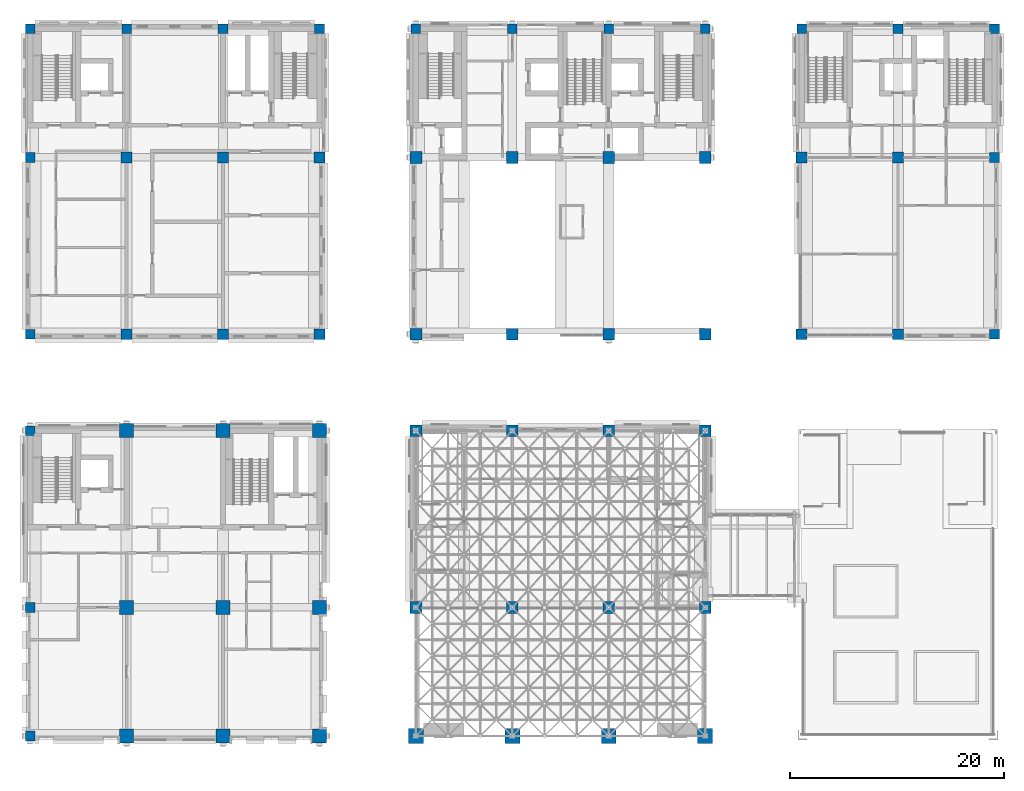
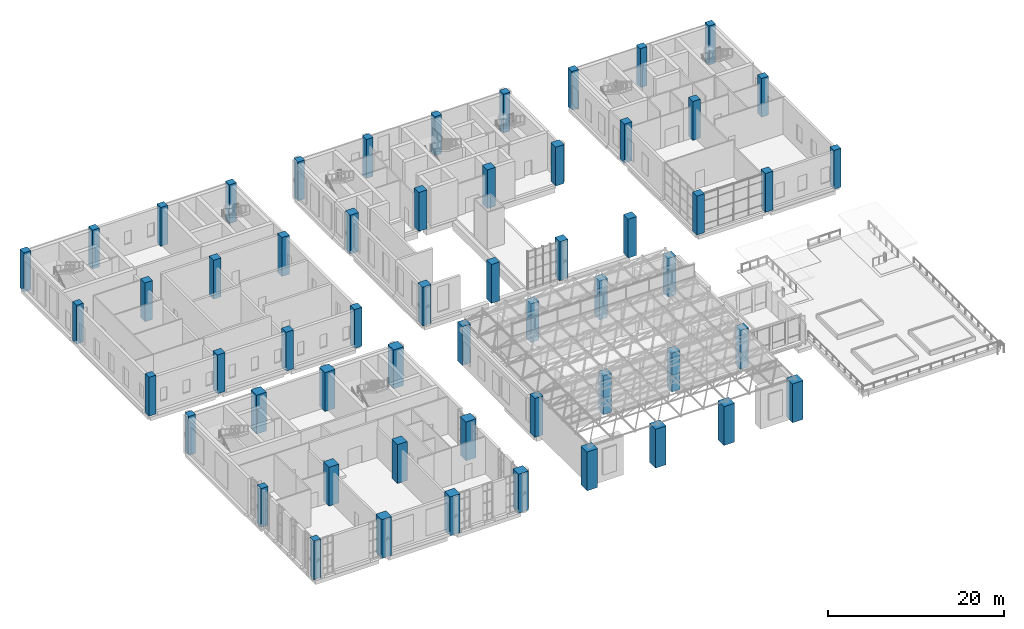
# One storey, part 1 of 53: 57 columns.
"""IFC4 building model written with IfcOpenShell, lengths in metres."""

from ifc_helpers import new_model, si_unit, direction, frame, origin, origin_2d, place, context, subcontext, project, spatial, rectangle, extrude, material, material_profile, profile_set, type_object, element, save


model = new_model("IFC4")

# Units and contexts
model_context = context("Model", 3, precision=1e-05, world=origin(), true_north=direction((0.0, 1.0)))
body_context = subcontext(model_context, "Body", "Model", "MODEL_VIEW")
ifc_project = project(units=[si_unit("LENGTHUNIT", "METRE"), si_unit("AREAUNIT", "SQUARE_METRE"), si_unit("VOLUMEUNIT", "CUBIC_METRE"), si_unit("PLANEANGLEUNIT", "RADIAN"), si_unit("MASSUNIT", "GRAM", prefix="KILO")], contexts=[model_context])

# Site, building, storey
site_placement = place(None, origin())
site = spatial("IfcSite", under=ifc_project, at=site_placement, CompositionType="ELEMENT")
building_placement = place(site_placement, origin())
building = spatial("IfcBuilding", under=site, at=building_placement, Name="Aurelan Courthouse", CompositionType="ELEMENT")
storey_placement = place(building_placement, frame((0.0, 0.0, 12.0)))
storey = spatial("IfcBuildingStorey", under=building, at=storey_placement, Name="L02", CompositionType="ELEMENT", Elevation=12.0)

# Columns
ifc_material = material(Name="Concrete C50", Category="concrete")
ifc_material_profile_1 = material_profile(ifc_material, rectangle(XDim=1.0, YDim=1.0, at=origin_2d()), Name="RC 1000 x 1000")
ifc_profile_set_1 = profile_set([ifc_material_profile_1], Name="Concrete C50")
column_type_1 = type_object("IfcColumnType", Name="RC column 1000 x 1000 C50", PredefinedType="COLUMN", material=ifc_profile_set_1)
for number, where, z_axis, x_axis, name in (
    (1, (9.0, 37.5, 0.0), (0.0, 0.0, 1.0), (1.0, 0.0, 0.0), "Column C-D2-A"),
    (2, (18.0, 37.5, 0.0), (0.0, 0.0, 1.0), (1.0, 0.0, 0.0), "Column C-D3-A"),
    (3, (27.0, 37.5, 0.0), (0.0, 0.0, 1.0), (1.0, 0.0, 0.0), "Column C-D4-A"),
    (4, (72.0, 37.5, 0.0), (0.0, 0.0, 1.0), (1.0, 0.0, 0.0), "Column C-D9-A"),
    (5, (81.0, 37.5, 0.0), (0.0, 0.0, 1.0), (1.0, 0.0, 0.0), "Column C-D10-A"),
    (6, (9.0, 54.0, 0.0), (0.0, 0.0, 1.0), (1.0, 0.0, 0.0), "Column C-E2-A"),
    (7, (18.0, 54.0, 0.0), (0.0, 0.0, 1.0), (1.0, 0.0, 0.0), "Column C-E3-A"),
    (8, (27.0, 54.0, 0.0), (0.0, 0.0, 1.0), (1.0, 0.0, 0.0), "Column C-E4-A"),
    (9, (72.0, 54.0, 0.0), (0.0, 0.0, 1.0), (1.0, 0.0, 0.0), "Column C-E9-A"),
    (10, (81.0, 54.0, 0.0), (0.0, 0.0, 1.0), (1.0, 0.0, 0.0), "Column C-E10-A"),
):
    element("IfcColumn", number, at=place(storey_placement, frame(where, z_axis=z_axis, x_axis=x_axis)), inside=storey, type_object=column_type_1, Name=name, PredefinedType="COLUMN", context=body_context, shape_type="SweptSolid", body=[
        extrude(rectangle(XDim=1.0, YDim=1.0, at=origin_2d()), origin(), (0.0, 0.0, 1.0), 5.39990234375),
    ])
ifc_material_profile_2 = material_profile(ifc_material, rectangle(XDim=1.10009765625, YDim=1.10009765625, at=origin_2d()), Name="RC 1100 x 1100")
ifc_profile_set_2 = profile_set([ifc_material_profile_2], Name="Concrete C50")
column_type_2 = type_object("IfcColumnType", Name="RC column 1100 x 1100 C50", PredefinedType="COLUMN", material=ifc_profile_set_2)
for number, where, z_axis, x_axis, name in (
    (11, (36.0, 12.0, 0.0), (0.0, 0.0, 1.0), (1.0, 0.0, 0.0), "Column C-B5-A"),
    (12, (45.0, 12.0, 0.0), (0.0, 0.0, 1.0), (1.0, 0.0, 0.0), "Column C-B6-A"),
    (13, (54.0, 12.0, 0.0), (0.0, 0.0, 1.0), (1.0, 0.0, 0.0), "Column C-B7-A"),
    (14, (63.0, 12.0, 0.0), (0.0, 0.0, 1.0), (1.0, 0.0, 0.0), "Column C-B8-A"),
    (15, (36.0, 28.5, 0.0), (0.0, 0.0, 1.0), (1.0, 0.0, 0.0), "Column C-C5-A"),
    (16, (45.0, 28.5, 0.0), (0.0, 0.0, 1.0), (1.0, 0.0, 0.0), "Column C-C6-A"),
    (17, (54.0, 28.5, 0.0), (0.0, 0.0, 1.0), (1.0, 0.0, 0.0), "Column C-C7-A"),
    (18, (63.0, 28.5, 0.0), (0.0, 0.0, 1.0), (1.0, 0.0, 0.0), "Column C-C8-A"),
    (19, (36.0, 37.5, 0.0), (0.0, 0.0, 1.0), (1.0, 0.0, 0.0), "Column C-D5-A"),
    (20, (45.0, 37.5, 0.0), (0.0, 0.0, 1.0), (1.0, 0.0, 0.0), "Column C-D6-A"),
    (21, (54.0, 37.5, 0.0), (0.0, 0.0, 1.0), (1.0, 0.0, 0.0), "Column C-D7-A"),
    (22, (63.0, 37.5, 0.0), (0.0, 0.0, 1.0), (1.0, 0.0, 0.0), "Column C-D8-A"),
    (23, (36.0, 54.0, 0.0), (0.0, 0.0, 1.0), (1.0, 0.0, 0.0), "Column C-E5-A"),
    (24, (45.0, 54.0, 0.0), (0.0, 0.0, 1.0), (1.0, 0.0, 0.0), "Column C-E6-A"),
    (25, (54.0, 54.0, 0.0), (0.0, 0.0, 1.0), (1.0, 0.0, 0.0), "Column C-E7-A"),
    (26, (63.0, 54.0, 0.0), (0.0, 0.0, 1.0), (1.0, 0.0, 0.0), "Column C-E8-A"),
):
    element("IfcColumn", number, at=place(storey_placement, frame(where, z_axis=z_axis, x_axis=x_axis)), inside=storey, type_object=column_type_2, Name=name, PredefinedType="COLUMN", context=body_context, shape_type="SweptSolid", body=[
        extrude(rectangle(XDim=1.10009765625, YDim=1.10009765625, at=origin_2d()), origin(), (0.0, 0.0, 1.0), 5.39990234375),
    ])
ifc_material_profile_3 = material_profile(ifc_material, rectangle(XDim=1.300048828125, YDim=1.300048828125, at=origin_2d()), Name="RC 1300 x 1300")
ifc_profile_set_3 = profile_set([ifc_material_profile_3], Name="Concrete C50")
column_type_3 = type_object("IfcColumnType", Name="RC column 1300 x 1300 C50", PredefinedType="COLUMN", material=ifc_profile_set_3)
for number, where, z_axis, x_axis, name in (
    (27, (9.0, 0.0, 0.0), (0.0, 0.0, 1.0), (1.0, 0.0, 0.0), "Column C-A2-B"),
    (28, (18.0, 0.0, 0.0), (0.0, 0.0, 1.0), (1.0, 0.0, 0.0), "Column C-A3-B"),
    (29, (27.0, 0.0, 0.0), (0.0, 0.0, 1.0), (1.0, 0.0, 0.0), "Column C-A4-B"),
    (30, (9.0, 12.0, 0.0), (0.0, 0.0, 1.0), (1.0, 0.0, 0.0), "Column C-B2-B"),
    (31, (18.0, 12.0, 0.0), (0.0, 0.0, 1.0), (1.0, 0.0, 0.0), "Column C-B3-B"),
    (32, (27.0, 12.0, 0.0), (0.0, 0.0, 1.0), (1.0, 0.0, 0.0), "Column C-B4-B"),
    (33, (9.0, 28.5, 0.0), (0.0, 0.0, 1.0), (1.0, 0.0, 0.0), "Column C-C2-B"),
    (34, (18.0, 28.5, 0.0), (0.0, 0.0, 1.0), (1.0, 0.0, 0.0), "Column C-C3-B"),
    (35, (27.0, 28.5, 0.0), (0.0, 0.0, 1.0), (1.0, 0.0, 0.0), "Column C-C4-B"),
):
    element("IfcColumn", number, at=place(storey_placement, frame(where, z_axis=z_axis, x_axis=x_axis)), inside=storey, type_object=column_type_3, Name=name, PredefinedType="COLUMN", context=body_context, shape_type="SweptSolid", body=[
        extrude(rectangle(XDim=1.300048828125, YDim=1.300048828125, at=origin_2d()), origin(), (0.0, 0.0, 1.0), 5.39990234375),
    ])
ifc_material_profile_4 = material_profile(ifc_material, rectangle(XDim=1.39990234375, YDim=1.39990234375, at=origin_2d()), Name="RC 1400 x 1400")
ifc_profile_set_4 = profile_set([ifc_material_profile_4], Name="Concrete C50")
column_type_4 = type_object("IfcColumnType", Name="RC column 1400 x 1400 C50", PredefinedType="COLUMN", material=ifc_profile_set_4)
for number, where, z_axis, x_axis, name in (
    (36, (36.0, 0.0, 0.0), (0.0, 0.0, 1.0), (1.0, 0.0, 0.0), "Column C-A5-A"),
    (37, (45.0, 0.0, 0.0), (0.0, 0.0, 1.0), (1.0, 0.0, 0.0), "Column C-A6-A"),
    (38, (54.0, 0.0, 0.0), (0.0, 0.0, 1.0), (1.0, 0.0, 0.0), "Column C-A7-A"),
    (39, (63.0, 0.0, 0.0), (0.0, 0.0, 1.0), (1.0, 0.0, 0.0), "Column C-A8-A"),
):
    element("IfcColumn", number, at=place(storey_placement, frame(where, z_axis=z_axis, x_axis=x_axis)), inside=storey, type_object=column_type_4, Name=name, PredefinedType="COLUMN", context=body_context, shape_type="SweptSolid", body=[
        extrude(rectangle(XDim=1.39990234375, YDim=1.39990234375, at=origin_2d()), origin(), (0.0, 0.0, 1.0), 5.39990234375),
    ])
ifc_material_profile_5 = material_profile(ifc_material, rectangle(XDim=0.89990234375, YDim=0.89990234375, at=origin_2d()), Name="RC 900 x 900")
ifc_profile_set_5 = profile_set([ifc_material_profile_5], Name="Concrete C50")
column_type_5 = type_object("IfcColumnType", Name="RC column 900 x 900 C50", PredefinedType="COLUMN", material=ifc_profile_set_5)
for number, where, z_axis, x_axis, name in (
    (40, (0.0, 0.0, 0.0), (0.0, 0.0, 1.0), (1.0, 0.0, 0.0), "Column C-A1-B"),
    (41, (0.0, 12.0, 0.0), (0.0, 0.0, 1.0), (1.0, 0.0, 0.0), "Column C-B1-B"),
    (42, (0.0, 28.5, 0.0), (0.0, 0.0, 1.0), (1.0, 0.0, 0.0), "Column C-C1-B"),
    (43, (0.0, 37.5, 0.0), (0.0, 0.0, 1.0), (1.0, 0.0, 0.0), "Column C-D1-A"),
    (44, (90.0, 37.5, 0.0), (0.0, 0.0, 1.0), (1.0, 0.0, 0.0), "Column C-D11-A"),
    (45, (0.0, 54.0, 0.0), (0.0, 0.0, 1.0), (1.0, 0.0, 0.0), "Column C-E1-A"),
    (46, (90.0, 54.0, 0.0), (0.0, 0.0, 1.0), (1.0, 0.0, 0.0), "Column C-E11-A"),
    (47, (0.0, 66.0, 0.0), (0.0, 0.0, 1.0), (1.0, 0.0, 0.0), "Column C-F1-A"),
    (48, (9.0, 66.0, 0.0), (0.0, 0.0, 1.0), (1.0, 0.0, 0.0), "Column C-F2-A"),
    (49, (18.0, 66.0, 0.0), (0.0, 0.0, 1.0), (1.0, 0.0, 0.0), "Column C-F3-A"),
    (50, (27.0, 66.0, 0.0), (0.0, 0.0, 1.0), (1.0, 0.0, 0.0), "Column C-F4-A"),
    (51, (36.0, 66.0, 0.0), (0.0, 0.0, 1.0), (1.0, 0.0, 0.0), "Column C-F5-A"),
    (52, (45.0, 66.0, 0.0), (0.0, 0.0, 1.0), (1.0, 0.0, 0.0), "Column C-F6-A"),
    (53, (54.0, 66.0, 0.0), (0.0, 0.0, 1.0), (1.0, 0.0, 0.0), "Column C-F7-A"),
    (54, (63.0, 66.0, 0.0), (0.0, 0.0, 1.0), (1.0, 0.0, 0.0), "Column C-F8-A"),
    (55, (72.0, 66.0, 0.0), (0.0, 0.0, 1.0), (1.0, 0.0, 0.0), "Column C-F9-A"),
    (56, (81.0, 66.0, 0.0), (0.0, 0.0, 1.0), (1.0, 0.0, 0.0), "Column C-F10-A"),
    (57, (90.0, 66.0, 0.0), (0.0, 0.0, 1.0), (1.0, 0.0, 0.0), "Column C-F11-A"),
):
    element("IfcColumn", number, at=place(storey_placement, frame(where, z_axis=z_axis, x_axis=x_axis)), inside=storey, type_object=column_type_5, Name=name, PredefinedType="COLUMN", context=body_context, shape_type="SweptSolid", body=[
        extrude(rectangle(XDim=0.89990234375, YDim=0.89990234375, at=origin_2d()), origin(), (0.0, 0.0, 1.0), 5.39990234375),
    ])

save(model, "model.ifc")
